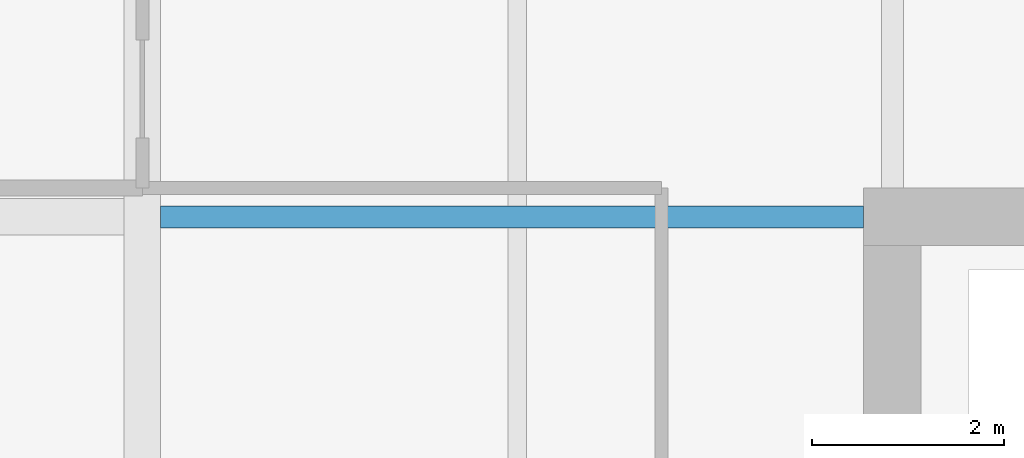
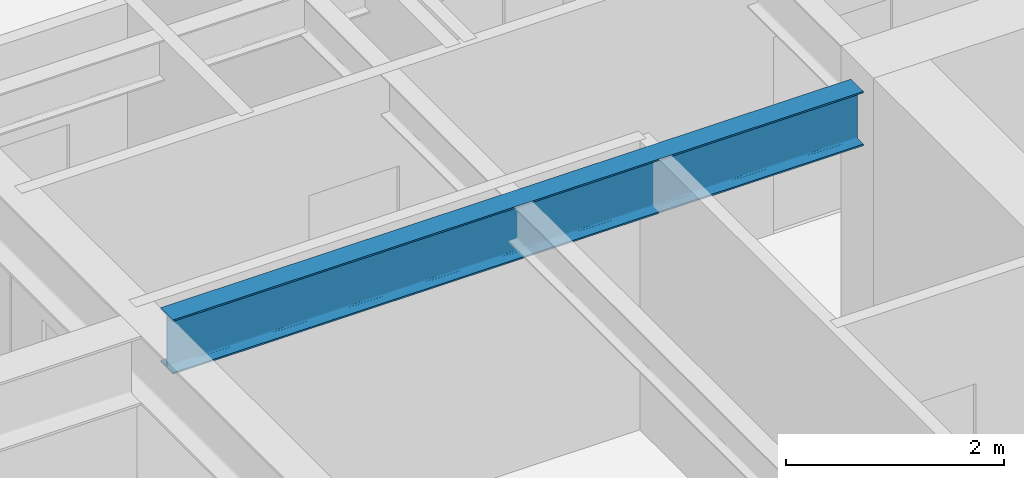
# One storey, part 17 of 35: 1 beam.
"""IFC4 building model written with IfcOpenShell, lengths in metres."""

from ifc_helpers import new_model, si_unit, direction, frame, origin, origin_2d, place, context, subcontext, project, spatial, i_section, extrude, material, material_profile, profile_set, type_object, element, save


model = new_model("IFC4")

# Units and contexts
model_context = context("Model", 3, precision=1e-05, world=origin(), true_north=direction((0.0, 1.0)))
body_context = subcontext(model_context, "Body", "Model", "MODEL_VIEW")
ifc_project = project(units=[si_unit("LENGTHUNIT", "METRE"), si_unit("AREAUNIT", "SQUARE_METRE"), si_unit("VOLUMEUNIT", "CUBIC_METRE"), si_unit("PLANEANGLEUNIT", "RADIAN"), si_unit("MASSUNIT", "GRAM", prefix="KILO")], contexts=[model_context])

# Site, building, storey
site_placement = place(None, origin())
site = spatial("IfcSite", under=ifc_project, at=site_placement, CompositionType="ELEMENT")
building_placement = place(site_placement, origin())
building = spatial("IfcBuilding", under=site, at=building_placement, Name="Drelvath Grand Hotel", CompositionType="ELEMENT")
storey_placement = place(building_placement, frame((0.0, 0.0, 95.300048828125)))
storey = spatial("IfcBuildingStorey", under=building, at=storey_placement, Name="L23", CompositionType="ELEMENT", Elevation=95.300048828125)

# Beam
ifc_material = material(Name="Steel ASTM A992 Gr 50", Category="steel")
ifc_material_profile = material_profile(ifc_material, i_section(OverallWidth=0.228271484375, OverallDepth=0.607666015625, WebThickness=0.01123046875, FlangeThickness=0.017333984375, FilletRadius=0.02001953125, at=origin_2d()), Name="W24X76")
ifc_profile_set = profile_set([ifc_material_profile], Name="Steel ASTM A992 Gr 50")
beam_type = type_object("IfcBeamType", Name="Primary Floor Girder W24X76", PredefinedType="BEAM", material=ifc_profile_set)
beam_placement = place(storey_placement, frame((-16.009765625, 35.39990234375, 2.93603515625), z_axis=(1.0, 0.0, 0.0), x_axis=(0.0, 1.0, 0.0)))
element("IfcBeam", 1, at=beam_placement, inside=storey, type_object=beam_type, Name="L23 West Core Tie F", PredefinedType="BEAM", context=body_context, shape_type="SweptSolid", body=[
    extrude(i_section(OverallWidth=0.228271484375, OverallDepth=0.607666015625, WebThickness=0.01123046875, FlangeThickness=0.017333984375, FilletRadius=0.02001953125, at=origin_2d()), origin(), (0.0, 0.0, 1.0), 7.309814453125),
])

save(model, "model.ifc")
